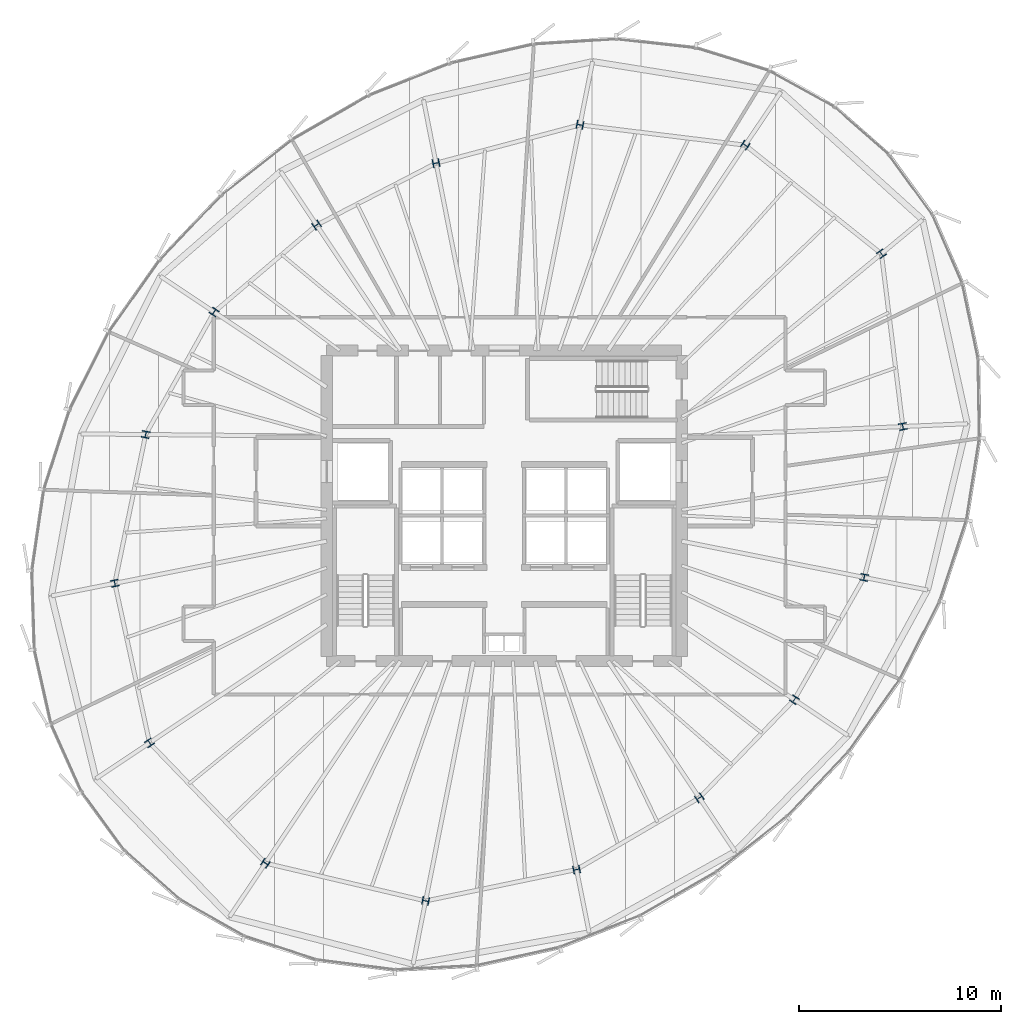
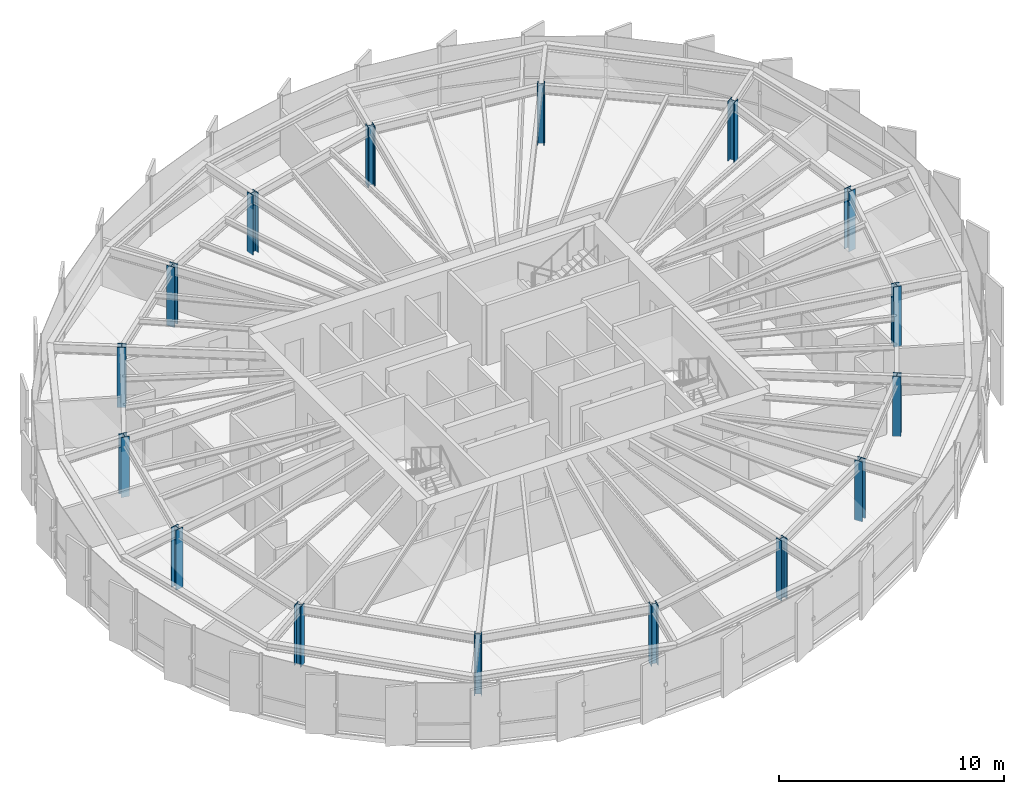
# One storey, part 1 of 35: 16 columns.
"""IFC4 building model written with IfcOpenShell, lengths in metres."""

import ifcopenshell
import ifcopenshell.guid

model = None  # the IFC model being written
_history = None  # IfcOwnerHistory: only IFC2X3 demands one
_inside = {}  # id of a spatial element -> (the spatial element, [elements in it])
_under = {}  # id of a project, library or spatial element -> (it, [spatial elements below it])
_declared = {}  # id of a project -> (the project, [libraries it declares])
_typed = {}  # id of a type object -> (the type object, [elements of that type])
_made_of = {}  # id of a material, layer set ... -> (it, [elements and type objects made of it])


def new_model(schema):
    """Start an empty IFC model of exactly this schema.

    Asked for "IFC4X3", IfcOpenShell would pick the latest addendum, in which some entities
    have other attributes; the version numbers below select the first issue.
    IFC2X3 requires an IfcOwnerHistory on every rooted entity: one is made here for all.
    """
    global model, _history
    if schema == "IFC4X3":
        model = ifcopenshell.file(schema_version=(4, 3, 0, 0))
    else:
        model = ifcopenshell.file(schema=schema)
    _inside.clear()
    _under.clear()
    _declared.clear()
    _typed.clear()
    _made_of.clear()
    _history = None
    if model.schema == "IFC2X3":
        org = make("IfcOrganization", Name="unknown")
        user = make(
            "IfcPersonAndOrganization",
            ThePerson=make("IfcPerson", FamilyName="unknown"),
            TheOrganization=org,
        )
        app = make(
            "IfcApplication",
            ApplicationDeveloper=org,
            Version="unknown",
            ApplicationFullName="unknown",
            ApplicationIdentifier="unknown",
        )
        _history = make(
            "IfcOwnerHistory",
            OwningUser=user,
            OwningApplication=app,
            ChangeAction="ADDED",
            CreationDate=0,
        )
    return model


def make(cls, **values):
    """One entity of the class cls with the attributes given. An attribute that is None is left unset."""
    return model.create_entity(
        cls, **{name: value for name, value in values.items() if value is not None}
    )


def rooted(cls, **values):
    """An entity with a GlobalId (a new one), such as an element, a storey or a relation."""
    return make(cls, GlobalId=ifcopenshell.guid.new(), OwnerHistory=_history, **values)


def si_unit(unit_type, name, prefix=None):
    """IfcSIUnit, for example si_unit("LENGTHUNIT", "METRE", prefix="MILLI")."""
    return make("IfcSIUnit", UnitType=unit_type, Prefix=prefix, Name=name)


def assignment(units):
    """IfcUnitAssignment: the units of a project."""
    return None if units is None else make("IfcUnitAssignment", Units=units)


def point(xyz):
    """IfcCartesianPoint."""
    return None if xyz is None else make("IfcCartesianPoint", Coordinates=xyz)


def direction(xyz):
    """IfcDirection."""
    return None if xyz is None else make("IfcDirection", DirectionRatios=xyz)


def frame(location, z_axis=None, x_axis=None):
    """IfcAxis2Placement3D, a coordinate frame: its origin and axes. An axis left out is left unset."""
    return make(
        "IfcAxis2Placement3D",
        Location=point(location),
        Axis=direction(z_axis),
        RefDirection=direction(x_axis),
    )


def frame_2d(location, x_axis=None):
    """IfcAxis2Placement2D, a coordinate frame in the plane: its origin and x axis."""
    return make(
        "IfcAxis2Placement2D", Location=point(location), RefDirection=direction(x_axis)
    )


def origin():
    """The frame at (0, 0, 0) with its axes left unset."""
    return frame((0.0, 0.0, 0.0))


def origin_2d():
    """The frame at (0, 0) in the plane with its x axis left unset."""
    return frame_2d((0.0, 0.0))


def place(relative_to, where):
    """IfcLocalPlacement: puts the frame where relative to a parent placement (None: the world)."""
    return make(
        "IfcLocalPlacement", PlacementRelTo=relative_to, RelativePlacement=where
    )


def context(
    kind, dimensions, precision=None, world=None, true_north=None, identifier=None
):
    """IfcGeometricRepresentationContext, for example the 3D "Model" context."""
    return make(
        "IfcGeometricRepresentationContext",
        ContextIdentifier=identifier,
        ContextType=kind,
        CoordinateSpaceDimension=dimensions,
        Precision=precision,
        WorldCoordinateSystem=world,
        TrueNorth=true_north,
    )


def subcontext(parent, identifier, kind, view, scale=None):
    """IfcGeometricRepresentationSubContext, for example "Body" below "Model"."""
    return make(
        "IfcGeometricRepresentationSubContext",
        ContextIdentifier=identifier,
        ContextType=kind,
        ParentContext=parent,
        TargetScale=scale,
        TargetView=view,
    )


def project(units=None, contexts=None):
    """IfcProject with its units and contexts."""
    return rooted(
        "IfcProject",
        Name="project",
        RepresentationContexts=contexts,
        UnitsInContext=assignment(units),
    )


def spatial(cls, under=None, at=None, **own):
    """A site, building, storey or space (cls), placed at a placement, below another one or the project."""
    s = rooted(cls, ObjectPlacement=at, **own)
    if under is not None:
        _under.setdefault(under.id(), (under, []))[1].append(s)
    return s


def profile(cls, at=None, kind="AREA", **sizes):
    """A parametric profile (cls). Its sizes go by their IFC names, for example OverallWidth=200.0."""
    return make(cls, ProfileType=kind, Position=at, **sizes)


def i_section(**sizes):
    """IfcIShapeProfileDef."""
    return profile("IfcIShapeProfileDef", **sizes)


def extrude(swept, where, along, depth):
    """IfcExtrudedAreaSolid: the profile swept, set in the frame where, extruded along a direction by depth."""
    return make(
        "IfcExtrudedAreaSolid",
        SweptArea=swept,
        Position=where,
        ExtrudedDirection=direction(along),
        Depth=depth,
    )


def shape(context_of_items, identifier, shape_type, items):
    """IfcShapeRepresentation: the items that make up one representation, for example the "Body"."""
    return make(
        "IfcShapeRepresentation",
        ContextOfItems=context_of_items,
        RepresentationIdentifier=identifier,
        RepresentationType=shape_type,
        Items=items,
    )


def source(mapping_origin, context_of_items, identifier, shape_type, items):
    """IfcRepresentationMap: a shape defined once, which mapped items show again and again."""
    return make(
        "IfcRepresentationMap",
        MappingOrigin=mapping_origin,
        MappedRepresentation=shape(context_of_items, identifier, shape_type, items),
    )


def transform(
    local_origin,
    x_axis=None,
    y_axis=None,
    z_axis=None,
    scale=None,
    scale2=None,
    scale3=None,
    uniform=True,
):
    """IfcCartesianTransformationOperator3D, or its non-uniform kind. x_axis, y_axis, z_axis: its Axis1, 2, 3."""
    if uniform:
        return make(
            "IfcCartesianTransformationOperator3D",
            Axis1=direction(x_axis),
            Axis2=direction(y_axis),
            LocalOrigin=point(local_origin),
            Scale=scale,
            Axis3=direction(z_axis),
        )
    return make(
        "IfcCartesianTransformationOperator3DnonUniform",
        Axis1=direction(x_axis),
        Axis2=direction(y_axis),
        LocalOrigin=point(local_origin),
        Scale=scale,
        Axis3=direction(z_axis),
        Scale2=scale2,
        Scale3=scale3,
    )


def mapped(mapping_source, mapping_target):
    """IfcMappedItem: shows the shape of a source again, moved by a transform."""
    return make(
        "IfcMappedItem", MappingSource=mapping_source, MappingTarget=mapping_target
    )


def material(Name=None, Category=None):
    """IfcMaterial."""
    return make("IfcMaterial", Name=Name, Category=Category)


def material_profile(
    of_material, cross_section, Name=None, Category=None, Priority=None
):
    """IfcMaterialProfile: a cross section and its material."""
    return make(
        "IfcMaterialProfile",
        Name=Name,
        Material=of_material,
        Profile=cross_section,
        Priority=Priority,
        Category=Category,
    )


def profile_set(profiles, Name=None, composite=None):
    """IfcMaterialProfileSet."""
    return make(
        "IfcMaterialProfileSet",
        Name=Name,
        MaterialProfiles=profiles,
        CompositeProfile=composite,
    )


def made_of(thing, what):
    """Note that an element or type object is made of a material, layer set ...; save() writes the relation."""
    if what is not None:
        _made_of.setdefault(what.id(), (what, []))[1].append(thing)
    return thing


def type_object(cls, material=None, **own):
    """A type object (cls), such as IfcWallType, which elements share."""
    return made_of(rooted(cls, **own), material)


def element(
    cls,
    number,
    at=None,
    inside=None,
    cuts=None,
    type_object=None,
    material=None,
    context=None,
    identifier="Body",
    shape_type=None,
    held_by="IfcProductDefinitionShape",
    body=None,
    shapes=None,
    **own,
):
    """One element of the class cls, such as IfcWall. Its Tag is "e" and its number.

    at: its placement. inside: the storey or other place that contains it. cuts: it is an
    opening in that element (IfcRelVoidsElement). A single representation is given by context,
    identifier, shape_type and body (its items); several are given by shapes. held_by: the class
    of the entity that holds the representations. save() writes the other relations.
    """
    e = rooted(cls, Tag="e%d" % number, ObjectPlacement=at, **own)
    if body is not None:
        shapes = [shape(context, identifier, shape_type, body)]
    if shapes is not None:
        e.Representation = make(held_by, Representations=shapes)
    if inside is not None:
        _inside.setdefault(inside.id(), (inside, []))[1].append(e)
    if cuts is not None:
        rooted(
            "IfcRelVoidsElement", RelatingBuildingElement=cuts, RelatedOpeningElement=e
        )
    if type_object is not None:
        _typed.setdefault(type_object.id(), (type_object, []))[1].append(e)
    return made_of(e, material)


def aggregate(whole, parts):
    """IfcRelAggregates: a whole, such as a stair, and the parts it consists of."""
    return rooted("IfcRelAggregates", RelatingObject=whole, RelatedObjects=parts)


def save(model, path):
    """Write the relations noted so far, then the file.

    IfcRelAggregates (storeys below a building ...), IfcRelContainedInSpatialStructure (elements
    in a storey), IfcRelDefinesByType, IfcRelAssociatesMaterial and IfcRelDeclares: one each for
    every whole, place, type object, material and project.
    """
    for whole, parts in _under.values():
        aggregate(whole, parts)
    for where, things in _inside.values():
        rooted(
            "IfcRelContainedInSpatialStructure",
            RelatedElements=things,
            RelatingStructure=where,
        )
    for kind, things in _typed.values():
        rooted("IfcRelDefinesByType", RelatedObjects=things, RelatingType=kind)
    for what, things in _made_of.values():
        rooted("IfcRelAssociatesMaterial", RelatedObjects=things, RelatingMaterial=what)
    for by, libraries in _declared.values():
        rooted("IfcRelDeclares", RelatingContext=by, RelatedDefinitions=libraries)
    model.write(path)


model = new_model("IFC4")

# Units and contexts
model_context = context("Model", 3, precision=1e-05, world=origin(), true_north=direction((0.0, 1.0)))
body_context = subcontext(model_context, "Body", "Model", "MODEL_VIEW")
ifc_project = project(units=[si_unit("LENGTHUNIT", "METRE"), si_unit("AREAUNIT", "SQUARE_METRE"), si_unit("VOLUMEUNIT", "CUBIC_METRE"), si_unit("PLANEANGLEUNIT", "RADIAN"), si_unit("MASSUNIT", "GRAM", prefix="KILO"), si_unit("THERMODYNAMICTEMPERATUREUNIT", "KELVIN")], contexts=[model_context])

# Site, building, storey
site_placement = place(None, origin())
site = spatial("IfcSite", under=ifc_project, at=site_placement, CompositionType="ELEMENT")
building_placement = place(site_placement, origin())
building = spatial("IfcBuilding", under=site, at=building_placement, Name="Kethvar Cultural Tower", CompositionType="ELEMENT")
storey_placement = place(building_placement, frame((0.0, 0.0, 204.39990234375)))
storey = spatial("IfcBuildingStorey", under=building, at=storey_placement, Name="L53", CompositionType="ELEMENT", Elevation=204.39990234375)

# Columns
ifc_material = material(Name="Steel S460M", Category="steel")
ifc_material_profile = material_profile(ifc_material, i_section(OverallWidth=0.39111328125, OverallDepth=0.3349609375, WebThickness=0.022705078125, FlangeThickness=0.033935546875, FilletRadius=0.014892578125, at=origin_2d()), Name="Steel S460M — HD400x463")
ifc_profile_set = profile_set([ifc_material_profile], Name="Steel S460M — HD400x463")
column_type = type_object("IfcColumnType", Name="COL-HD463", PredefinedType="COLUMN", material=ifc_profile_set)
shared_shape = source(origin(), body_context, "Body", "SweptSolid", [
    extrude(i_section(OverallWidth=0.39111328125, OverallDepth=0.3349609375, WebThickness=0.022705078125, FlangeThickness=0.033935546875, FilletRadius=0.014892578125, at=origin_2d()), origin(), (0.0, 0.0, 1.0), 3.260009765625),
])
for number, where, z_axis, x_axis, name in (
    (1, (66.56396484375, 31.731201171875, 0.0), (0.0, 0.0, 1.0), (0.980785280403, 0.195090322016, 0.0), "L53 Mega-Column MC-01"),
    (2, (65.504150390625, 40.297607421875, 0.0), (0.0, 0.0, 1.0), (0.831469612303, 0.55557023302, 0.0), "L53 Mega-Column MC-02"),
    (3, (58.748046875, 45.681396484375, 0.0), (0.0, 0.0, 1.0), (0.55557023302, 0.831469612303, 0.0), "L53 Mega-Column MC-03"),
    (4, (50.556884765625, 46.6875, 0.0), (0.0, 0.0, 1.0), (0.195090322016, 0.980785280403, 0.0), "L53 Mega-Column MC-04"),
    (5, (43.420654296875, 44.789306640625, 0.0), (0.0, 0.0, 1.0), (-0.195090322016, 0.980785280403, 0.0), "L53 Mega-Column MC-05"),
    (6, (37.498779296875, 41.720458984375, 0.0), (0.0, 0.0, 1.0), (-0.55557023302, 0.831469612303, 0.0), "L53 Mega-Column MC-06"),
    (7, (32.418212890625, 37.409423828125, 0.0), (0.0, 0.0, 1.0), (-0.831469612303, 0.55557023302, 0.0), "L53 Mega-Column MC-07"),
    (8, (29.02490234375, 31.335693359375, 0.0), (0.0, 0.0, 1.0), (-0.980785280403, 0.195090322016, 0.0), "L53 Mega-Column MC-08"),
    (9, (27.492919921875, 23.959716796875, 0.0), (0.0, 0.0, 1.0), (-0.980785280403, -0.195090322016, 0.0), "L53 Mega-Column MC-09"),
    (10, (29.217529296875, 16.0517578125, 0.0), (0.0, 0.0, 1.0), (-0.831469612303, -0.55557023302, 0.0), "L53 Mega-Column MC-10"),
    (11, (34.962646484375, 10.084228515625, 0.0), (0.0, 0.0, 1.0), (-0.55557023302, -0.831469612303, 0.0), "L53 Mega-Column MC-11"),
    (12, (42.903564453125, 8.2109375, 0.0), (0.0, 0.0, 1.0), (-0.195090322016, -0.980785280403, 0.0), "L53 Mega-Column MC-12"),
    (13, (50.38671875, 9.7685546875, 0.0), (0.0, 0.0, 1.0), (0.195090322016, -0.980785280403, 0.0), "L53 Mega-Column MC-13"),
    (14, (56.474609375, 13.32080078125, 0.0), (0.0, 0.0, 1.0), (0.55557023302, -0.831469612303, 0.0), "L53 Mega-Column MC-14"),
    (15, (61.1826171875, 18.18994140625, 0.0), (0.0, 0.0, 1.0), (0.831469612303, -0.55557023302, 0.0), "L53 Mega-Column MC-15"),
    (16, (64.648681640625, 24.249755859375, 0.0), (0.0, 0.0, 1.0), (0.980785280403, -0.195090322016, 0.0), "L53 Mega-Column MC-16"),
):
    element("IfcColumn", number, at=place(storey_placement, frame(where, z_axis=z_axis, x_axis=x_axis)), inside=storey, type_object=column_type, Name=name, PredefinedType="COLUMN", context=body_context, shape_type="MappedRepresentation", body=[
        mapped(shared_shape, transform((0.0, 0.0, 0.0), scale=1.0)),
    ])

save(model, "model.ifc")
